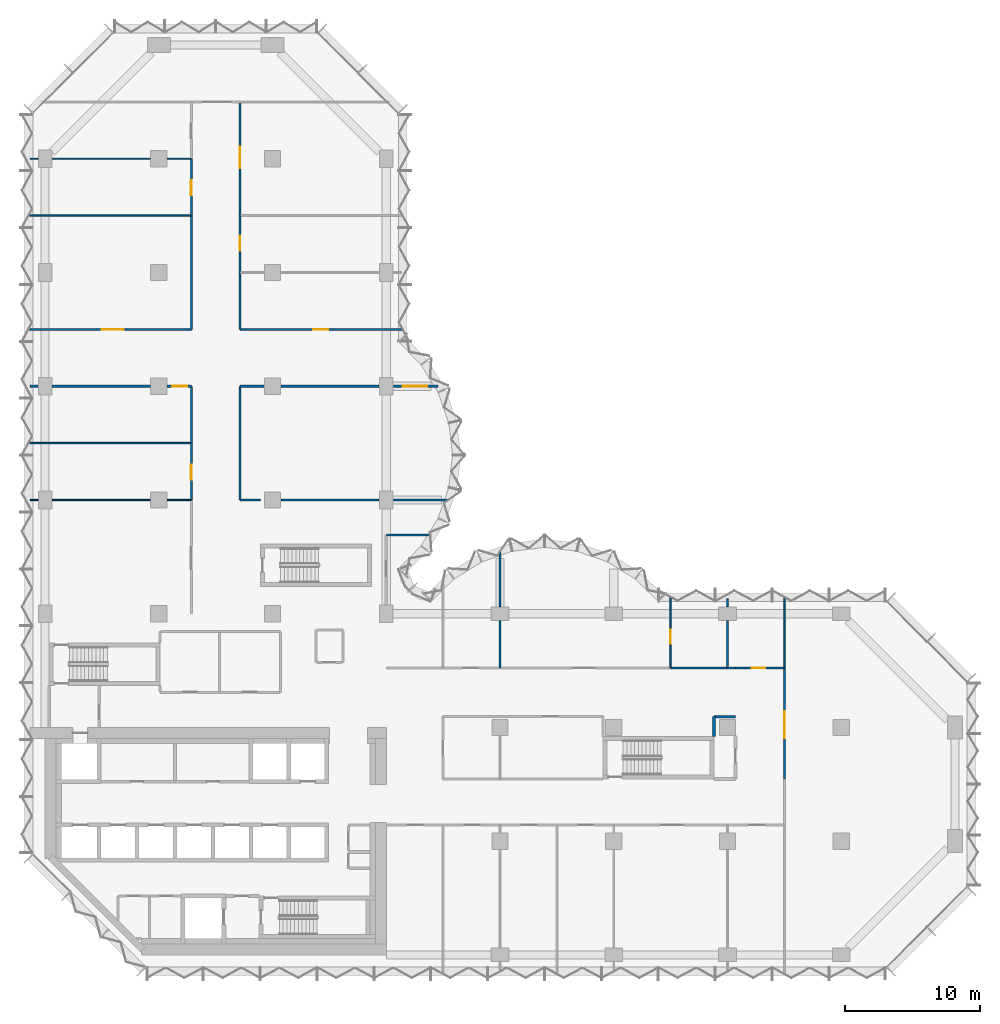
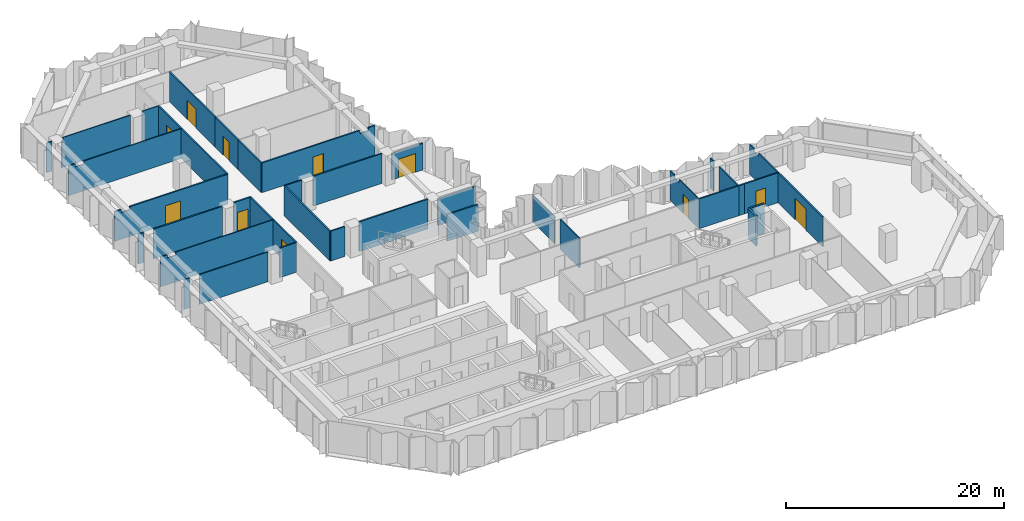
# One storey, part 10 of 13: 40 walls, 11 doors, 11 openings.
"""IFC4 building model written with IfcOpenShell, lengths in metres."""

from ifc_helpers import new_model, si_unit, direction, frame, frame_2d, origin, place, context, subcontext, project, spatial, polyline, rectangle, outline, extrude, material, layer, layer_set, type_object, element, fill, save


model = new_model("IFC4")

# Units and contexts
model_context = context("Model", 3, precision=1e-05, world=origin(), true_north=direction((0.0, 1.0)))
body_context = subcontext(model_context, "Body", "Model", "MODEL_VIEW")
ifc_project = project(units=[si_unit("LENGTHUNIT", "METRE"), si_unit("AREAUNIT", "SQUARE_METRE"), si_unit("VOLUMEUNIT", "CUBIC_METRE"), si_unit("PLANEANGLEUNIT", "RADIAN"), si_unit("MASSUNIT", "GRAM", prefix="KILO")], contexts=[model_context])

# Site, building, storey
site_placement = place(None, origin())
site = spatial("IfcSite", under=ifc_project, at=site_placement, CompositionType="ELEMENT")
building_placement = place(site_placement, origin())
building = spatial("IfcBuilding", under=site, at=building_placement, Name="Brevane Broadcast Tower", CompositionType="ELEMENT")
storey_placement = place(building_placement, frame((0.0, 0.0, 131.300048828125)))
storey = spatial("IfcBuildingStorey", under=building, at=storey_placement, Name="L32", CompositionType="ELEMENT", Elevation=131.300048828125)

# Wall
ifc_material_1 = material(Name="Gypsum board partition")
ifc_layer_1 = layer(ifc_material_1, 0.10009765625)
ifc_layer_set_1 = layer_set([ifc_layer_1], Name="PARTITION 100 STUD")
wall_type_1 = type_object("IfcWallType", Name="PARTITION 100 STUD", PredefinedType="PARTITIONING", material=ifc_layer_set_1)
wall_1_placement = place(storey_placement, frame((54.60009765625, 21.199951171875, 0.0), z_axis=(0.0, 0.0, 1.0), x_axis=(0.0, 1.0, 0.0)))
element("IfcWall", 1, at=wall_1_placement, inside=storey, type_object=wall_type_1, Name="Partition G09-018", PredefinedType="PARTITIONING", context=body_context, shape_type="SweptSolid", body=[
    extrude(outline(polyline([(0.0, 0.0), (5.174072265625, 0.0), (5.174072265625, 3.329833984375), (5.10009765625, 3.329833984375), (4.449951171875, 3.329833984375), (4.447998046875, 2.97998046875), (3.552001953125, 2.97998046875), (3.550048828125, 3.329833984375), (0.0, 3.329833984375), (0.0, 0.0)])), frame((0.0, 0.050048828125, 0.0), z_axis=(0.0, -1.0, 0.0), x_axis=(1.0, 0.0, 0.0)), (0.0, 0.0, 1.0), 0.10009765625),
])

# Wall, opening, door
wall_2_placement = place(storey_placement, frame((46.199951171875, 26.3740234375, 0.0), z_axis=(0.0, 0.0, 1.0), x_axis=(0.0, -1.0, 0.0)))
wall_2 = element("IfcWall", 2, at=wall_2_placement, inside=storey, type_object=wall_type_1, Name="Partition G09-044", PredefinedType="PARTITIONING", context=body_context, shape_type="SweptSolid", body=[
    extrude(outline(polyline([(0.0, 0.0), (5.174072265625, 0.0), (5.174072265625, 3.329833984375), (1.6240234375, 3.329833984375), (1.6220703125, 2.97998046875), (0.72607421875, 2.97998046875), (0.72412109375, 3.329833984375), (0.073974609375, 3.329833984375), (0.0, 3.329833984375), (0.0, 0.0)])), frame((0.0, 0.050048828125, 0.0), z_axis=(0.0, -1.0, 0.0), x_axis=(1.0, 0.0, 0.0)), (0.0, 0.0, 1.0), 0.10009765625),
])
opening_1_placement = place(wall_2_placement, frame((2.3740234375, 0.0, 0.0)))
opening_1 = element("IfcOpeningElement", 3, at=opening_1_placement, cuts=wall_2, Name="Opening D16-014", PredefinedType="OPENING", context=body_context, shape_type="SweptSolid", body=[
    extrude(rectangle(XDim=1.0, YDim=2.10009765625, at=frame_2d((0.5, 1.050048828125))), frame((0.0, 0.06005859375, 0.0), z_axis=(0.0, -1.0, 0.0), x_axis=(1.0, 0.0, 0.0)), (0.0, 0.0, 1.0), 0.1201171875),
])
ifc_material_2 = material(Name="Timber door leaf", Category="wood")
door_type_1 = type_object("IfcDoorType", Name="DOOR SINGLE 1000 INTERNAL", OperationType="SINGLE_SWING_LEFT", PredefinedType="DOOR", material=ifc_material_2)
door_1_placement = place(opening_1_placement, origin())
door_1 = element("IfcDoor", 4, at=door_1_placement, inside=storey, type_object=door_type_1, Name="Door D16-014", OperationType="SINGLE_SWING_LEFT", OverallHeight=2.10009765625, OverallWidth=1.0, PredefinedType="DOOR", context=body_context, shape_type="SweptSolid", body=[
    extrude(rectangle(XDim=1.0, YDim=2.10009765625, at=frame_2d((0.5, 1.050048828125))), frame((0.0, 0.02490234375, 0.0), z_axis=(0.0, -1.0, 0.0), x_axis=(1.0, 0.0, 0.0)), (0.0, 0.0, 1.0), 0.050048828125),
])
fill(opening_1, door_1)

# Walls
wall_3_placement = place(storey_placement, frame((-1.10009765625, 33.60009765625, 0.0), z_axis=(0.0, 0.0, 1.0), x_axis=(1.0, 0.0, 0.0)))
element("IfcWall", 5, at=wall_3_placement, inside=storey, type_object=wall_type_1, Name="Partition G09-067", PredefinedType="PARTITIONING", context=body_context, shape_type="SweptSolid", body=[
    extrude(rectangle(XDim=0.580078125, YDim=0.10009765625, at=frame_2d((0.2900390625, 0.0))), origin(), (0.0, 0.0, 1.0), 3.329833984375),
])
wall_4_placement = place(storey_placement, frame((0.52001953125, 33.60009765625, 0.0), z_axis=(0.0, 0.0, 1.0), x_axis=(1.0, 0.0, 0.0)))
element("IfcWall", 6, at=wall_4_placement, inside=storey, type_object=wall_type_1, Name="Partition G09-068", PredefinedType="PARTITIONING", context=body_context, shape_type="SweptSolid", body=[
    extrude(rectangle(XDim=7.260009765625, YDim=0.10009765625, at=frame_2d((3.6298828125, 0.0))), origin(), (0.0, 0.0, 1.0), 3.329833984375),
])
wall_5_placement = place(storey_placement, frame((9.02001953125, 33.60009765625, 0.0), z_axis=(0.0, 0.0, 1.0), x_axis=(1.0, 0.0, 0.0)))
element("IfcWall", 7, at=wall_5_placement, inside=storey, type_object=wall_type_1, Name="Partition G09-069", PredefinedType="PARTITIONING", context=body_context, shape_type="SweptSolid", body=[
    extrude(rectangle(XDim=1.780029296875, YDim=0.10009765625, at=frame_2d((0.89013671875, 0.0))), origin(), (0.0, 0.0, 1.0), 3.329833984375),
])
for number, where, z_axis, x_axis, name in (
    (8, (-1.174072265625, 37.800048828125, 0.0), (0.0, 0.0, 1.0), (1.0, 0.0, 0.0), "Partition G09-070"),
    (9, (-1.174072265625, 54.60009765625, 0.0), (0.0, 0.0, 1.0), (1.0, 0.0, 0.0), "Partition G09-071"),
):
    element("IfcWall", number, at=place(storey_placement, frame(where, z_axis=z_axis, x_axis=x_axis)), inside=storey, type_object=wall_type_1, Name=name, PredefinedType="PARTITIONING", context=body_context, shape_type="SweptSolid", body=[
        extrude(outline(polyline([(0.0, 0.0), (11.97412109375, 0.0), (11.97412109375, 3.329833984375), (1.6240234375, 3.329833984375), (1.6220703125, 2.97998046875), (0.72607421875, 2.97998046875), (0.72412109375, 3.329833984375), (0.073974609375, 3.329833984375), (0.0, 3.329833984375), (0.0, 0.0)])), frame((0.0, 0.050048828125, 0.0), z_axis=(0.0, -1.0, 0.0), x_axis=(1.0, 0.0, 0.0)), (0.0, 0.0, 1.0), 0.10009765625),
    ])
wall_6_placement = place(storey_placement, frame((-1.10009765625, 58.800048828125, 0.0), z_axis=(0.0, 0.0, 1.0), x_axis=(1.0, 0.0, 0.0)))
element("IfcWall", 10, at=wall_6_placement, inside=storey, type_object=wall_type_1, Name="Partition G09-072", PredefinedType="PARTITIONING", context=body_context, shape_type="SweptSolid", body=[
    extrude(rectangle(XDim=0.580078125, YDim=0.10009765625, at=frame_2d((0.2900390625, 0.0))), origin(), (0.0, 0.0, 1.0), 3.329833984375),
])
wall_7_placement = place(storey_placement, frame((0.52001953125, 58.800048828125, 0.0), z_axis=(0.0, 0.0, 1.0), x_axis=(1.0, 0.0, 0.0)))
element("IfcWall", 11, at=wall_7_placement, inside=storey, type_object=wall_type_1, Name="Partition G09-073", PredefinedType="PARTITIONING", context=body_context, shape_type="SweptSolid", body=[
    extrude(outline(polyline([(0.0, 0.0), (7.260009765625, 0.0), (7.260009765625, 3.329833984375), (0.145751953125, 3.329833984375), (0.143798828125, 2.97998046875), (0.0, 2.97998046875), (0.0, 0.0)])), frame((0.0, 0.050048828125, 0.0), z_axis=(0.0, -1.0, 0.0), x_axis=(1.0, 0.0, 0.0)), (0.0, 0.0, 1.0), 0.10009765625),
])
wall_8_placement = place(storey_placement, frame((9.02001953125, 58.800048828125, 0.0), z_axis=(0.0, 0.0, 1.0), x_axis=(1.0, 0.0, 0.0)))
element("IfcWall", 12, at=wall_8_placement, inside=storey, type_object=wall_type_1, Name="Partition G09-074", PredefinedType="PARTITIONING", context=body_context, shape_type="SweptSolid", body=[
    extrude(rectangle(XDim=1.780029296875, YDim=0.10009765625, at=frame_2d((0.89013671875, 0.0))), origin(), (0.0, 0.0, 1.0), 3.329833984375),
])
ifc_layer_2 = layer(ifc_material_1, 0.125)
ifc_layer_set_2 = layer_set([ifc_layer_2], Name="PARTITION 125 ACOUSTIC")
wall_type_2 = type_object("IfcWallType", Name="PARTITION 125 ACOUSTIC", PredefinedType="PARTITIONING", material=ifc_layer_set_2)
wall_9_placement = place(storey_placement, frame((33.60009765625, 29.761962890625, 0.0), z_axis=(0.0, 0.0, 1.0), x_axis=(0.0, -1.0, 0.0)))
element("IfcWall", 13, at=wall_9_placement, inside=storey, type_object=wall_type_2, Name="Partition G09-042", PredefinedType="PARTITIONING", context=body_context, shape_type="SweptSolid", body=[
    extrude(rectangle(XDim=4.0419921875, YDim=0.125, at=frame_2d((2.02099609375, 0.0))), origin(), (0.0, 0.0, 1.0), 2.97998046875),
])
wall_10_placement = place(storey_placement, frame((33.60009765625, 24.679931640625, 0.0), z_axis=(0.0, 0.0, 1.0), x_axis=(0.0, -1.0, 0.0)))
element("IfcWall", 14, at=wall_10_placement, inside=storey, type_object=wall_type_2, Name="Partition G09-043", PredefinedType="PARTITIONING", context=body_context, shape_type="SweptSolid", body=[
    extrude(rectangle(XDim=3.47998046875, YDim=0.125, at=frame_2d((1.739990234375, 0.0))), origin(), (0.0, 0.0, 1.0), 3.329833984375),
])
wall_11_placement = place(storey_placement, frame((50.39990234375, 26.300048828125, 0.0), z_axis=(0.0, 0.0, 1.0), x_axis=(0.0, -1.0, 0.0)))
element("IfcWall", 15, at=wall_11_placement, inside=storey, type_object=wall_type_2, Name="Partition G09-045", PredefinedType="PARTITIONING", context=body_context, shape_type="SweptSolid", body=[
    extrude(rectangle(XDim=0.580078125, YDim=0.125, at=frame_2d((0.2900390625, 0.0))), origin(), (0.0, 0.0, 1.0), 3.329833984375),
])
wall_12_placement = place(storey_placement, frame((50.39990234375, 24.679931640625, 0.0), z_axis=(0.0, 0.0, 1.0), x_axis=(0.0, -1.0, 0.0)))
element("IfcWall", 16, at=wall_12_placement, inside=storey, type_object=wall_type_2, Name="Partition G09-046", PredefinedType="PARTITIONING", context=body_context, shape_type="SweptSolid", body=[
    extrude(rectangle(XDim=3.47998046875, YDim=0.125, at=frame_2d((1.739990234375, 0.0))), origin(), (0.0, 0.0, 1.0), 3.329833984375),
])
ifc_layer_3 = layer(ifc_material_1, 0.14990234375)
ifc_layer_set_3 = layer_set([ifc_layer_3], Name="PARTITION 150 EI 60")
wall_type_3 = type_object("IfcWallType", Name="PARTITION 150 EI 60", PredefinedType="PARTITIONING", material=ifc_layer_set_3)
wall_13_placement = place(storey_placement, frame((25.199951171875, 31.0, 0.0), z_axis=(0.0, 0.0, 1.0), x_axis=(1.0, 0.0, 0.0)))
element("IfcWall", 17, at=wall_13_placement, inside=storey, type_object=wall_type_3, Name="Partition G09-006", PredefinedType="PARTITIONING", context=body_context, shape_type="SweptSolid", body=[
    extrude(rectangle(XDim=3.32421875, YDim=0.14990234375, at=frame_2d((1.662109375, 0.0))), origin(), (0.0, 0.0, 1.0), 2.97998046875),
])

# Wall, opening, door
wall_14_placement = place(storey_placement, frame((54.60009765625, 21.199951171875, 0.0), z_axis=(0.0, 0.0, 1.0), x_axis=(0.0, -1.0, 0.0)))
wall_14 = element("IfcWall", 18, at=wall_14_placement, inside=storey, type_object=wall_type_3, Name="Partition G09-016", PredefinedType="PARTITIONING", context=body_context, shape_type="SweptSolid", body=[
    extrude(rectangle(XDim=8.199951171875, YDim=0.14990234375, at=frame_2d((4.10009765625, 0.0))), origin(), (0.0, 0.0, 1.0), 3.329833984375),
])
opening_2_placement = place(wall_14_placement, frame((3.199951171875, 0.0, 0.0)))
opening_2 = element("IfcOpeningElement", 19, at=opening_2_placement, cuts=wall_14, Name="Opening D16-002", PredefinedType="OPENING", context=body_context, shape_type="SweptSolid", body=[
    extrude(rectangle(XDim=2.0, YDim=2.39990234375, at=frame_2d((1.0, 1.199951171875))), frame((0.0, 0.0849609375, 0.0), z_axis=(0.0, -1.0, 0.0), x_axis=(1.0, 0.0, 0.0)), (0.0, 0.0, 1.0), 0.169921875),
])
ifc_material_3 = material(Name="Fire-rated timber door leaf", Category="wood")
door_type_2 = type_object("IfcDoorType", Name="DOOR DOUBLE 2000 FD30S", OperationType="DOUBLE_DOOR_SINGLE_SWING", PredefinedType="DOOR", material=ifc_material_3)
door_2_placement = place(opening_2_placement, origin())
door_2 = element("IfcDoor", 20, at=door_2_placement, inside=storey, type_object=door_type_2, Name="Door D16-002", OperationType="DOUBLE_DOOR_SINGLE_SWING", OverallHeight=2.39990234375, OverallWidth=2.0, PredefinedType="DOOR", context=body_context, shape_type="SweptSolid", body=[
    extrude(rectangle(XDim=2.0, YDim=2.39990234375, at=frame_2d((1.0, 1.199951171875))), frame((0.0, 0.02490234375, 0.0), z_axis=(0.0, -1.0, 0.0), x_axis=(1.0, 0.0, 0.0)), (0.0, 0.0, 1.0), 0.050048828125),
])
fill(opening_2, door_2)

# Walls
wall_15_placement = place(storey_placement, frame((46.199951171875, 21.199951171875, 0.0), z_axis=(0.0, 0.0, 1.0), x_axis=(1.0, 0.0, 0.0)))
element("IfcWall", 21, at=wall_15_placement, inside=storey, type_object=wall_type_3, Name="Partition G09-026", PredefinedType="PARTITIONING", context=body_context, shape_type="SweptSolid", body=[
    extrude(rectangle(XDim=4.199951171875, YDim=0.14990234375, at=frame_2d((2.10009765625, 0.0))), origin(), (0.0, 0.0, 1.0), 3.329833984375),
])
wall_16_placement = place(storey_placement, frame((50.39990234375, 21.199951171875, 0.0), z_axis=(0.0, 0.0, 1.0), x_axis=(1.0, 0.0, 0.0)))
element("IfcWall", 22, at=wall_16_placement, inside=storey, type_object=wall_type_3, Name="Partition G09-027", PredefinedType="PARTITIONING", context=body_context, shape_type="SweptSolid", body=[
    extrude(rectangle(XDim=0.60009765625, YDim=0.14990234375, at=frame_2d((0.300048828125, 0.0))), origin(), (0.0, 0.0, 1.0), 3.329833984375),
])

# Wall, opening, door
wall_17_placement = place(storey_placement, frame((51.0, 21.199951171875, 0.0), z_axis=(0.0, 0.0, 1.0), x_axis=(1.0, 0.0, 0.0)))
wall_17 = element("IfcWall", 23, at=wall_17_placement, inside=storey, type_object=wall_type_3, Name="Partition G09-029", PredefinedType="PARTITIONING", context=body_context, shape_type="SweptSolid", body=[
    extrude(rectangle(XDim=3.60009765625, YDim=0.14990234375, at=frame_2d((1.800048828125, 0.0))), origin(), (0.0, 0.0, 1.0), 3.329833984375),
])
opening_3_placement = place(wall_17_placement, frame((1.199951171875, 0.0, 0.0)))
opening_3 = element("IfcOpeningElement", 24, at=opening_3_placement, cuts=wall_17, Name="Opening D16-015", PredefinedType="OPENING", context=body_context, shape_type="SweptSolid", body=[
    extrude(rectangle(XDim=1.0, YDim=2.10009765625, at=frame_2d((0.5, 1.050048828125))), frame((0.0, 0.0849609375, 0.0), z_axis=(0.0, -1.0, 0.0), x_axis=(1.0, 0.0, 0.0)), (0.0, 0.0, 1.0), 0.169921875),
])
door_type_3 = type_object("IfcDoorType", Name="DOOR SINGLE 1000 FD30S", OperationType="SINGLE_SWING_LEFT", PredefinedType="DOOR", material=ifc_material_3)
door_3_placement = place(opening_3_placement, origin())
door_3 = element("IfcDoor", 25, at=door_3_placement, inside=storey, type_object=door_type_3, Name="Door D16-015", OperationType="SINGLE_SWING_LEFT", OverallHeight=2.10009765625, OverallWidth=1.0, PredefinedType="DOOR", context=body_context, shape_type="SweptSolid", body=[
    extrude(rectangle(XDim=1.0, YDim=2.10009765625, at=frame_2d((0.5, 1.050048828125))), frame((0.0, 0.02490234375, 0.0), z_axis=(0.0, -1.0, 0.0), x_axis=(1.0, 0.0, 0.0)), (0.0, 0.0, 1.0), 0.050048828125),
])
fill(opening_3, door_3)

# Walls
wall_18_placement = place(storey_placement, frame((14.39990234375, 33.60009765625, 0.0), z_axis=(0.0, 0.0, 1.0), x_axis=(1.0, 0.0, 0.0)))
element("IfcWall", 26, at=wall_18_placement, inside=storey, type_object=wall_type_3, Name="Partition G09-048", PredefinedType="PARTITIONING", context=body_context, shape_type="SweptSolid", body=[
    extrude(rectangle(XDim=1.5, YDim=0.14990234375, at=frame_2d((0.75, 0.0))), origin(), (0.0, 0.0, 1.0), 3.329833984375),
])
wall_19_placement = place(storey_placement, frame((17.419921875, 33.60009765625, 0.0), z_axis=(0.0, 0.0, 1.0), x_axis=(1.0, 0.0, 0.0)))
element("IfcWall", 27, at=wall_19_placement, inside=storey, type_object=wall_type_3, Name="Partition G09-049", PredefinedType="PARTITIONING", context=body_context, shape_type="SweptSolid", body=[
    extrude(rectangle(XDim=7.260009765625, YDim=0.14990234375, at=frame_2d((3.6298828125, 0.0))), origin(), (0.0, 0.0, 1.0), 3.329833984375),
])
wall_20_placement = place(storey_placement, frame((25.719970703125, 33.60009765625, 0.0), z_axis=(0.0, 0.0, 1.0), x_axis=(1.0, 0.0, 0.0)))
element("IfcWall", 28, at=wall_20_placement, inside=storey, type_object=wall_type_3, Name="Partition G09-050", PredefinedType="PARTITIONING", context=body_context, shape_type="SweptSolid", body=[
    extrude(rectangle(XDim=4.0419921875, YDim=0.14990234375, at=frame_2d((2.02099609375, 0.0))), origin(), (0.0, 0.0, 1.0), 2.97998046875),
])

# Wall, opening, door
wall_21_placement = place(storey_placement, frame((10.800048828125, 33.60009765625, 0.0), z_axis=(0.0, 0.0, 1.0), x_axis=(0.0, 1.0, 0.0)))
wall_21 = element("IfcWall", 29, at=wall_21_placement, inside=storey, type_object=wall_type_3, Name="Partition G09-052", PredefinedType="PARTITIONING", context=body_context, shape_type="SweptSolid", body=[
    extrude(rectangle(XDim=4.199951171875, YDim=0.14990234375, at=frame_2d((2.10009765625, 0.0))), origin(), (0.0, 0.0, 1.0), 3.329833984375),
])
opening_4_placement = place(wall_21_placement, frame((1.5, 0.0, 0.0)))
opening_4 = element("IfcOpeningElement", 30, at=opening_4_placement, cuts=wall_21, Name="Opening D16-018", PredefinedType="OPENING", context=body_context, shape_type="SweptSolid", body=[
    extrude(rectangle(XDim=1.10009765625, YDim=2.10009765625, at=frame_2d((0.550048828125, 1.050048828125))), frame((0.0, 0.0849609375, 0.0), z_axis=(0.0, -1.0, 0.0), x_axis=(1.0, 0.0, 0.0)), (0.0, 0.0, 1.0), 0.169921875),
])
door_type_4 = type_object("IfcDoorType", Name="DOOR SINGLE 1100 FD30S", OperationType="SINGLE_SWING_LEFT", PredefinedType="DOOR", material=ifc_material_3)
door_4_placement = place(opening_4_placement, origin())
door_4 = element("IfcDoor", 31, at=door_4_placement, inside=storey, type_object=door_type_4, Name="Door D16-018", OperationType="SINGLE_SWING_LEFT", OverallHeight=2.10009765625, OverallWidth=1.10009765625, PredefinedType="DOOR", context=body_context, shape_type="SweptSolid", body=[
    extrude(rectangle(XDim=1.10009765625, YDim=2.10009765625, at=frame_2d((0.550048828125, 1.050048828125))), frame((0.0, 0.02490234375, 0.0), z_axis=(0.0, -1.0, 0.0), x_axis=(1.0, 0.0, 0.0)), (0.0, 0.0, 1.0), 0.050048828125),
])
fill(opening_4, door_4)

# Walls
wall_22_placement = place(storey_placement, frame((10.800048828125, 37.800048828125, 0.0), z_axis=(0.0, 0.0, 1.0), x_axis=(0.0, 1.0, 0.0)))
element("IfcWall", 32, at=wall_22_placement, inside=storey, type_object=wall_type_3, Name="Partition G09-053", PredefinedType="PARTITIONING", context=body_context, shape_type="SweptSolid", body=[
    extrude(rectangle(XDim=4.199951171875, YDim=0.14990234375, at=frame_2d((2.10009765625, 0.0))), origin(), (0.0, 0.0, 1.0), 3.329833984375),
])
wall_23_placement = place(storey_placement, frame((10.800048828125, 46.199951171875, 0.0), z_axis=(0.0, 0.0, 1.0), x_axis=(0.0, 1.0, 0.0)))
element("IfcWall", 33, at=wall_23_placement, inside=storey, type_object=wall_type_3, Name="Partition G09-054", PredefinedType="PARTITIONING", context=body_context, shape_type="SweptSolid", body=[
    extrude(rectangle(XDim=8.400146484375, YDim=0.14990234375, at=frame_2d((4.2001953125, 0.0))), origin(), (0.0, 0.0, 1.0), 3.329833984375),
])

# Wall, opening, door
wall_24_placement = place(storey_placement, frame((10.800048828125, 54.60009765625, 0.0), z_axis=(0.0, 0.0, 1.0), x_axis=(0.0, 1.0, 0.0)))
wall_24 = element("IfcWall", 34, at=wall_24_placement, inside=storey, type_object=wall_type_3, Name="Partition G09-055", PredefinedType="PARTITIONING", context=body_context, shape_type="SweptSolid", body=[
    extrude(rectangle(XDim=4.199951171875, YDim=0.14990234375, at=frame_2d((2.10009765625, 0.0))), origin(), (0.0, 0.0, 1.0), 3.329833984375),
])
opening_5_placement = place(wall_24_placement, frame((1.5, 0.0, 0.0)))
opening_5 = element("IfcOpeningElement", 35, at=opening_5_placement, cuts=wall_24, Name="Opening D16-021", PredefinedType="OPENING", context=body_context, shape_type="SweptSolid", body=[
    extrude(rectangle(XDim=1.10009765625, YDim=2.10009765625, at=frame_2d((0.550048828125, 1.050048828125))), frame((0.0, 0.0849609375, 0.0), z_axis=(0.0, -1.0, 0.0), x_axis=(1.0, 0.0, 0.0)), (0.0, 0.0, 1.0), 0.169921875),
])
door_5_placement = place(opening_5_placement, origin())
door_5 = element("IfcDoor", 36, at=door_5_placement, inside=storey, type_object=door_type_4, Name="Door D16-021", OperationType="SINGLE_SWING_LEFT", OverallHeight=2.10009765625, OverallWidth=1.10009765625, PredefinedType="DOOR", context=body_context, shape_type="SweptSolid", body=[
    extrude(rectangle(XDim=1.10009765625, YDim=2.10009765625, at=frame_2d((0.550048828125, 1.050048828125))), frame((0.0, 0.02490234375, 0.0), z_axis=(0.0, -1.0, 0.0), x_axis=(1.0, 0.0, 0.0)), (0.0, 0.0, 1.0), 0.050048828125),
])
fill(opening_5, door_5)

# Walls
wall_25_placement = place(storey_placement, frame((14.39990234375, 42.0, 0.0), z_axis=(0.0, 0.0, 1.0), x_axis=(0.0, -1.0, 0.0)))
element("IfcWall", 37, at=wall_25_placement, inside=storey, type_object=wall_type_3, Name="Partition G09-057", PredefinedType="PARTITIONING", context=body_context, shape_type="SweptSolid", body=[
    extrude(rectangle(XDim=8.39990234375, YDim=0.14990234375, at=frame_2d((4.199951171875, 0.0))), origin(), (0.0, 0.0, 1.0), 3.329833984375),
])
wall_26_placement = place(storey_placement, frame((14.39990234375, 50.39990234375, 0.0), z_axis=(0.0, 0.0, 1.0), x_axis=(0.0, -1.0, 0.0)))
element("IfcWall", 38, at=wall_26_placement, inside=storey, type_object=wall_type_3, Name="Partition G09-058", PredefinedType="PARTITIONING", context=body_context, shape_type="SweptSolid", body=[
    extrude(rectangle(XDim=4.199951171875, YDim=0.14990234375, at=frame_2d((2.10009765625, 0.0))), origin(), (0.0, 0.0, 1.0), 3.329833984375),
])

# Wall, opening, door
wall_27_placement = place(storey_placement, frame((14.39990234375, 54.60009765625, 0.0), z_axis=(0.0, 0.0, 1.0), x_axis=(0.0, -1.0, 0.0)))
wall_27 = element("IfcWall", 39, at=wall_27_placement, inside=storey, type_object=wall_type_3, Name="Partition G09-059", PredefinedType="PARTITIONING", context=body_context, shape_type="SweptSolid", body=[
    extrude(rectangle(XDim=4.2001953125, YDim=0.14990234375, at=frame_2d((2.10009765625, 0.0))), origin(), (0.0, 0.0, 1.0), 3.329833984375),
])
opening_6_placement = place(wall_27_placement, frame((1.5, 0.0, 0.0)))
opening_6 = element("IfcOpeningElement", 40, at=opening_6_placement, cuts=wall_27, Name="Opening D16-025", PredefinedType="OPENING", context=body_context, shape_type="SweptSolid", body=[
    extrude(rectangle(XDim=1.10009765625, YDim=2.10009765625, at=frame_2d((0.550048828125, 1.050048828125))), frame((0.0, 0.0849609375, 0.0), z_axis=(0.0, -1.0, 0.0), x_axis=(1.0, 0.0, 0.0)), (0.0, 0.0, 1.0), 0.169921875),
])
door_6_placement = place(opening_6_placement, origin())
door_6 = element("IfcDoor", 41, at=door_6_placement, inside=storey, type_object=door_type_4, Name="Door D16-025", OperationType="SINGLE_SWING_LEFT", OverallHeight=2.10009765625, OverallWidth=1.10009765625, PredefinedType="DOOR", context=body_context, shape_type="SweptSolid", body=[
    extrude(rectangle(XDim=1.10009765625, YDim=2.10009765625, at=frame_2d((0.550048828125, 1.050048828125))), frame((0.0, 0.02490234375, 0.0), z_axis=(0.0, -1.0, 0.0), x_axis=(1.0, 0.0, 0.0)), (0.0, 0.0, 1.0), 0.050048828125),
])
fill(opening_6, door_6)

wall_28_placement = place(storey_placement, frame((14.39990234375, 63.0, 0.0), z_axis=(0.0, 0.0, 1.0), x_axis=(0.0, -1.0, 0.0)))
wall_28 = element("IfcWall", 42, at=wall_28_placement, inside=storey, type_object=wall_type_3, Name="Partition G09-060", PredefinedType="PARTITIONING", context=body_context, shape_type="SweptSolid", body=[
    extrude(rectangle(XDim=8.39990234375, YDim=0.14990234375, at=frame_2d((4.199951171875, 0.0))), origin(), (0.0, 0.0, 1.0), 3.329833984375),
])
opening_7_placement = place(wall_28_placement, frame((3.300048828125, 0.0, 0.0)))
opening_7 = element("IfcOpeningElement", 43, at=opening_7_placement, cuts=wall_28, Name="Opening D16-026", PredefinedType="OPENING", context=body_context, shape_type="SweptSolid", body=[
    extrude(rectangle(XDim=1.60009765625, YDim=2.10009765625, at=frame_2d((0.800048828125, 1.050048828125))), frame((0.0, 0.0849609375, 0.0), z_axis=(0.0, -1.0, 0.0), x_axis=(1.0, 0.0, 0.0)), (0.0, 0.0, 1.0), 0.169921875),
])
door_type_5 = type_object("IfcDoorType", Name="DOOR DOUBLE 1600 FD30S", OperationType="DOUBLE_DOOR_SINGLE_SWING", PredefinedType="DOOR", material=ifc_material_3)
door_7_placement = place(opening_7_placement, origin())
door_7 = element("IfcDoor", 44, at=door_7_placement, inside=storey, type_object=door_type_5, Name="Door D16-026", OperationType="DOUBLE_DOOR_SINGLE_SWING", OverallHeight=2.10009765625, OverallWidth=1.60009765625, PredefinedType="DOOR", context=body_context, shape_type="SweptSolid", body=[
    extrude(rectangle(XDim=1.60009765625, YDim=2.10009765625, at=frame_2d((0.800048828125, 1.050048828125))), frame((0.0, 0.02490234375, 0.0), z_axis=(0.0, -1.0, 0.0), x_axis=(1.0, 0.0, 0.0)), (0.0, 0.0, 1.0), 0.050048828125),
])
fill(opening_7, door_7)

wall_29_placement = place(storey_placement, frame((10.800048828125, 42.0, 0.0), z_axis=(0.0, 0.0, 1.0), x_axis=(-1.0, 0.0, 0.0)))
wall_29 = element("IfcWall", 45, at=wall_29_placement, inside=storey, type_object=wall_type_3, Name="Partition G09-063", PredefinedType="PARTITIONING", context=body_context, shape_type="SweptSolid", body=[
    extrude(rectangle(XDim=1.780029296875, YDim=0.14990234375, at=frame_2d((0.89013671875, 0.0))), origin(), (0.0, 0.0, 1.0), 3.329833984375),
])
opening_8_placement = place(wall_29_placement, frame((0.300048828125, 0.0, 0.0)))
opening_8 = element("IfcOpeningElement", 46, at=opening_8_placement, cuts=wall_29, Name="Opening D16-019", PredefinedType="OPENING", context=body_context, shape_type="SweptSolid", body=[
    extrude(rectangle(XDim=1.10009765625, YDim=2.10009765625, at=frame_2d((0.550048828125, 1.050048828125))), frame((0.0, 0.0849609375, 0.0), z_axis=(0.0, -1.0, 0.0), x_axis=(1.0, 0.0, 0.0)), (0.0, 0.0, 1.0), 0.169921875),
])
door_8_placement = place(opening_8_placement, origin())
door_8 = element("IfcDoor", 47, at=door_8_placement, inside=storey, type_object=door_type_4, Name="Door D16-019", OperationType="SINGLE_SWING_LEFT", OverallHeight=2.10009765625, OverallWidth=1.10009765625, PredefinedType="DOOR", context=body_context, shape_type="SweptSolid", body=[
    extrude(rectangle(XDim=1.10009765625, YDim=2.10009765625, at=frame_2d((0.550048828125, 1.050048828125))), frame((0.0, 0.02490234375, 0.0), z_axis=(0.0, -1.0, 0.0), x_axis=(1.0, 0.0, 0.0)), (0.0, 0.0, 1.0), 0.050048828125),
])
fill(opening_8, door_8)

# Walls
wall_30_placement = place(storey_placement, frame((7.780029296875, 42.0, 0.0), z_axis=(0.0, 0.0, 1.0), x_axis=(-1.0, 0.0, 0.0)))
element("IfcWall", 48, at=wall_30_placement, inside=storey, type_object=wall_type_3, Name="Partition G09-064", PredefinedType="PARTITIONING", context=body_context, shape_type="SweptSolid", body=[
    extrude(rectangle(XDim=7.260009765625, YDim=0.14990234375, at=frame_2d((3.6298828125, 0.0))), origin(), (0.0, 0.0, 1.0), 3.329833984375),
])
wall_31_placement = place(storey_placement, frame((-0.52001953125, 42.0, 0.0), z_axis=(0.0, 0.0, 1.0), x_axis=(-1.0, 0.0, 0.0)))
element("IfcWall", 49, at=wall_31_placement, inside=storey, type_object=wall_type_3, Name="Partition G09-065", PredefinedType="PARTITIONING", context=body_context, shape_type="SweptSolid", body=[
    extrude(rectangle(XDim=0.580078125, YDim=0.14990234375, at=frame_2d((0.2900390625, 0.0))), origin(), (0.0, 0.0, 1.0), 3.329833984375),
])

# Wall, opening, door
wall_32_placement = place(storey_placement, frame((-1.174072265625, 46.199951171875, 0.0), z_axis=(0.0, 0.0, 1.0), x_axis=(1.0, 0.0, 0.0)))
wall_32 = element("IfcWall", 50, at=wall_32_placement, inside=storey, type_object=wall_type_3, Name="Partition G09-066", PredefinedType="PARTITIONING", context=body_context, shape_type="SweptSolid", body=[
    extrude(outline(polyline([(0.0, 0.0), (11.97412109375, 0.0), (11.97412109375, 3.329833984375), (1.6240234375, 3.329833984375), (1.6220703125, 2.97998046875), (0.72607421875, 2.97998046875), (0.72412109375, 3.329833984375), (0.073974609375, 3.329833984375), (0.0, 3.329833984375), (0.0, 0.0)])), frame((0.0, 0.074951171875, 0.0), z_axis=(0.0, -1.0, 0.0), x_axis=(1.0, 0.0, 0.0)), (0.0, 0.0, 1.0), 0.14990234375),
])
opening_9_placement = place(wall_32_placement, frame((5.3740234375, 0.0, 0.0)))
opening_9 = element("IfcOpeningElement", 51, at=opening_9_placement, cuts=wall_32, Name="Opening D16-020", PredefinedType="OPENING", context=body_context, shape_type="SweptSolid", body=[
    extrude(rectangle(XDim=1.60009765625, YDim=2.10009765625, at=frame_2d((0.800048828125, 1.050048828125))), frame((0.0, 0.0849609375, 0.0), z_axis=(0.0, -1.0, 0.0), x_axis=(1.0, 0.0, 0.0)), (0.0, 0.0, 1.0), 0.169921875),
])
door_9_placement = place(opening_9_placement, origin())
door_9 = element("IfcDoor", 52, at=door_9_placement, inside=storey, type_object=door_type_5, Name="Door D16-020", OperationType="DOUBLE_DOOR_SINGLE_SWING", OverallHeight=2.10009765625, OverallWidth=1.60009765625, PredefinedType="DOOR", context=body_context, shape_type="SweptSolid", body=[
    extrude(rectangle(XDim=1.60009765625, YDim=2.10009765625, at=frame_2d((0.800048828125, 1.050048828125))), frame((0.0, 0.02490234375, 0.0), z_axis=(0.0, -1.0, 0.0), x_axis=(1.0, 0.0, 0.0)), (0.0, 0.0, 1.0), 0.050048828125),
])
fill(opening_9, door_9)

wall_33_placement = place(storey_placement, frame((29.011474609375, 42.0, 0.0), z_axis=(0.0, 0.0, 1.0), x_axis=(-1.0, 0.0, 0.0)))
wall_33 = element("IfcWall", 53, at=wall_33_placement, inside=storey, type_object=wall_type_3, Name="Partition G09-075", PredefinedType="PARTITIONING", context=body_context, shape_type="SweptSolid", body=[
    extrude(rectangle(XDim=3.29150390625, YDim=0.14990234375, at=frame_2d((1.645751953125, 0.0))), origin(), (0.0, 0.0, 1.0), 2.97998046875),
])
opening_10_placement = place(wall_33_placement, frame((0.800048828125, 0.0, 0.0)))
opening_10 = element("IfcOpeningElement", 54, at=opening_10_placement, cuts=wall_33, Name="Opening D16-023", PredefinedType="OPENING", context=body_context, shape_type="SweptSolid", body=[
    extrude(rectangle(XDim=1.800048828125, YDim=2.10009765625, at=frame_2d((0.89990234375, 1.050048828125))), frame((0.0, 0.0849609375, 0.0), z_axis=(0.0, -1.0, 0.0), x_axis=(1.0, 0.0, 0.0)), (0.0, 0.0, 1.0), 0.169921875),
])
door_type_6 = type_object("IfcDoorType", Name="DOOR DOUBLE 1800 FD30S", OperationType="DOUBLE_DOOR_SINGLE_SWING", PredefinedType="DOOR", material=ifc_material_3)
door_10_placement = place(opening_10_placement, origin())
door_10 = element("IfcDoor", 55, at=door_10_placement, inside=storey, type_object=door_type_6, Name="Door D16-023", OperationType="DOUBLE_DOOR_SINGLE_SWING", OverallHeight=2.10009765625, OverallWidth=1.800048828125, PredefinedType="DOOR", context=body_context, shape_type="SweptSolid", body=[
    extrude(rectangle(XDim=1.800048828125, YDim=2.10009765625, at=frame_2d((0.89990234375, 1.050048828125))), frame((0.0, 0.02490234375, 0.0), z_axis=(0.0, -1.0, 0.0), x_axis=(1.0, 0.0, 0.0)), (0.0, 0.0, 1.0), 0.050048828125),
])
fill(opening_10, door_10)

# Walls
wall_34_placement = place(storey_placement, frame((24.679931640625, 42.0, 0.0), z_axis=(0.0, 0.0, 1.0), x_axis=(-1.0, 0.0, 0.0)))
element("IfcWall", 56, at=wall_34_placement, inside=storey, type_object=wall_type_3, Name="Partition G09-076", PredefinedType="PARTITIONING", context=body_context, shape_type="SweptSolid", body=[
    extrude(rectangle(XDim=7.260009765625, YDim=0.14990234375, at=frame_2d((3.6298828125, 0.0))), origin(), (0.0, 0.0, 1.0), 3.329833984375),
])
wall_35_placement = place(storey_placement, frame((16.179931640625, 42.0, 0.0), z_axis=(0.0, 0.0, 1.0), x_axis=(-1.0, 0.0, 0.0)))
element("IfcWall", 57, at=wall_35_placement, inside=storey, type_object=wall_type_3, Name="Partition G09-077", PredefinedType="PARTITIONING", context=body_context, shape_type="SweptSolid", body=[
    extrude(rectangle(XDim=1.780029296875, YDim=0.14990234375, at=frame_2d((0.89013671875, 0.0))), origin(), (0.0, 0.0, 1.0), 3.329833984375),
])

# Wall, opening, door
wall_36_placement = place(storey_placement, frame((14.39990234375, 46.199951171875, 0.0), z_axis=(0.0, 0.0, 1.0), x_axis=(1.0, 0.0, 0.0)))
wall_36 = element("IfcWall", 58, at=wall_36_placement, inside=storey, type_object=wall_type_3, Name="Partition G09-078", PredefinedType="PARTITIONING", context=body_context, shape_type="SweptSolid", body=[
    extrude(outline(polyline([(0.0, 0.0), (11.97412109375, 0.0), (11.97412109375, 3.329833984375), (11.89990234375, 3.329833984375), (11.25, 3.329833984375), (11.248046875, 2.97998046875), (10.35205078125, 2.97998046875), (10.35009765625, 3.329833984375), (0.0, 3.329833984375), (0.0, 0.0)])), frame((0.0, 0.074951171875, 0.0), z_axis=(0.0, -1.0, 0.0), x_axis=(1.0, 0.0, 0.0)), (0.0, 0.0, 1.0), 0.14990234375),
])
opening_11_placement = place(wall_36_placement, frame((5.39990234375, 0.0, 0.0)))
opening_11 = element("IfcOpeningElement", 59, at=opening_11_placement, cuts=wall_36, Name="Opening D16-024", PredefinedType="OPENING", context=body_context, shape_type="SweptSolid", body=[
    extrude(rectangle(XDim=1.10009765625, YDim=2.10009765625, at=frame_2d((0.550048828125, 1.050048828125))), frame((0.0, 0.0849609375, 0.0), z_axis=(0.0, -1.0, 0.0), x_axis=(1.0, 0.0, 0.0)), (0.0, 0.0, 1.0), 0.169921875),
])
door_11_placement = place(opening_11_placement, origin())
door_11 = element("IfcDoor", 60, at=door_11_placement, inside=storey, type_object=door_type_4, Name="Door D16-024", OperationType="SINGLE_SWING_LEFT", OverallHeight=2.10009765625, OverallWidth=1.10009765625, PredefinedType="DOOR", context=body_context, shape_type="SweptSolid", body=[
    extrude(rectangle(XDim=1.10009765625, YDim=2.10009765625, at=frame_2d((0.550048828125, 1.050048828125))), frame((0.0, 0.02490234375, 0.0), z_axis=(0.0, -1.0, 0.0), x_axis=(1.0, 0.0, 0.0)), (0.0, 0.0, 1.0), 0.050048828125),
])
fill(opening_11, door_11)

# Walls
ifc_layer_4 = layer(ifc_material_1, 0.199951171875)
ifc_layer_set_4 = layer_set([ifc_layer_4], Name="PARTITION 200 EI 120")
wall_type_4 = type_object("IfcWallType", Name="PARTITION 200 EI 120", PredefinedType="PARTITIONING", material=ifc_layer_set_4)
wall_37_placement = place(storey_placement, frame((51.0, 17.60009765625, 0.0), z_axis=(0.0, 0.0, 1.0), x_axis=(-1.0, 0.0, 0.0)))
element("IfcWall", 61, at=wall_37_placement, inside=storey, type_object=wall_type_4, Name="Partition G09-022", PredefinedType="PARTITIONING", context=body_context, shape_type="SweptSolid", body=[
    extrude(rectangle(XDim=1.60009765625, YDim=0.199951171875, at=frame_2d((0.800048828125, 0.0))), origin(), (0.0, 0.0, 1.0), 3.329833984375),
])
wall_38_placement = place(storey_placement, frame((49.39990234375, 17.60009765625, 0.0), z_axis=(0.0, 0.0, 1.0), x_axis=(0.0, -1.0, 0.0)))
element("IfcWall", 62, at=wall_38_placement, inside=storey, type_object=wall_type_4, Name="Partition G09-023", PredefinedType="PARTITIONING", context=body_context, shape_type="SweptSolid", body=[
    extrude(rectangle(XDim=1.4501953125, YDim=0.199951171875, at=frame_2d((0.72509765625, 0.0))), origin(), (0.0, 0.0, 1.0), 3.329833984375),
])

save(model, "model.ifc")
